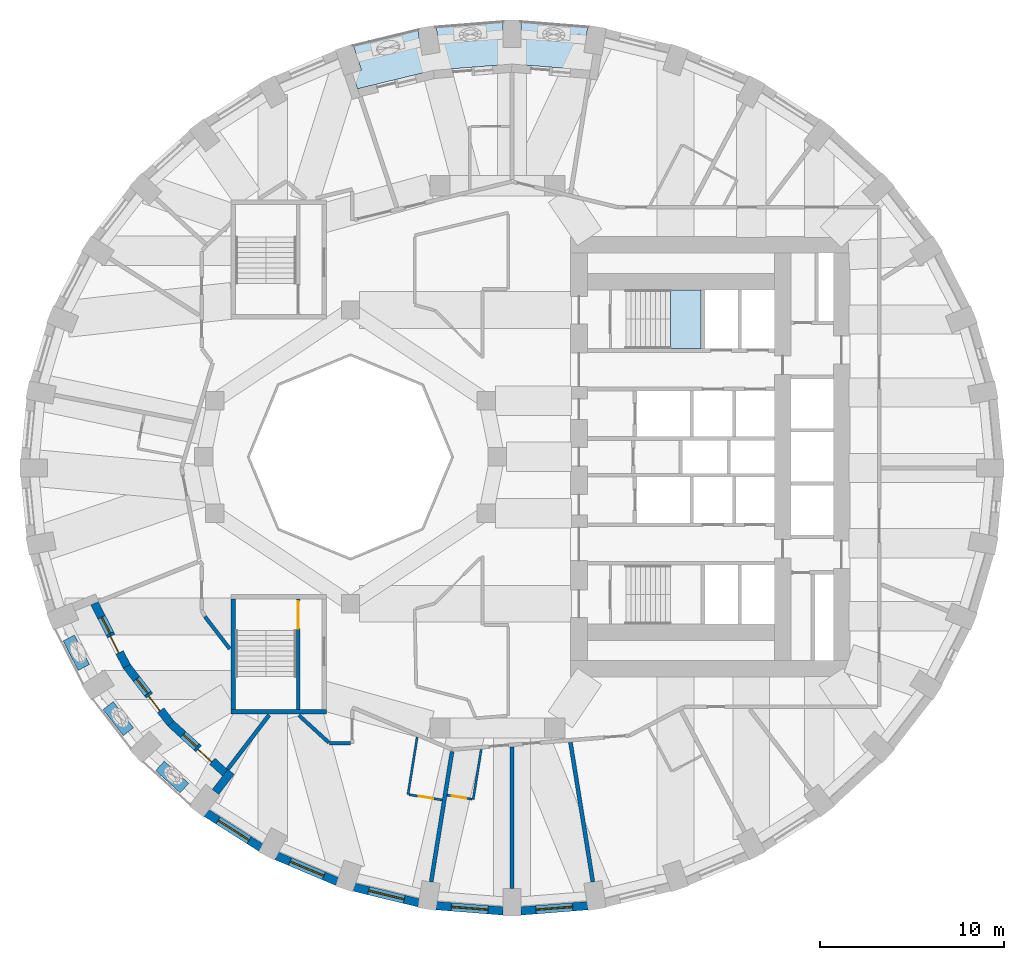
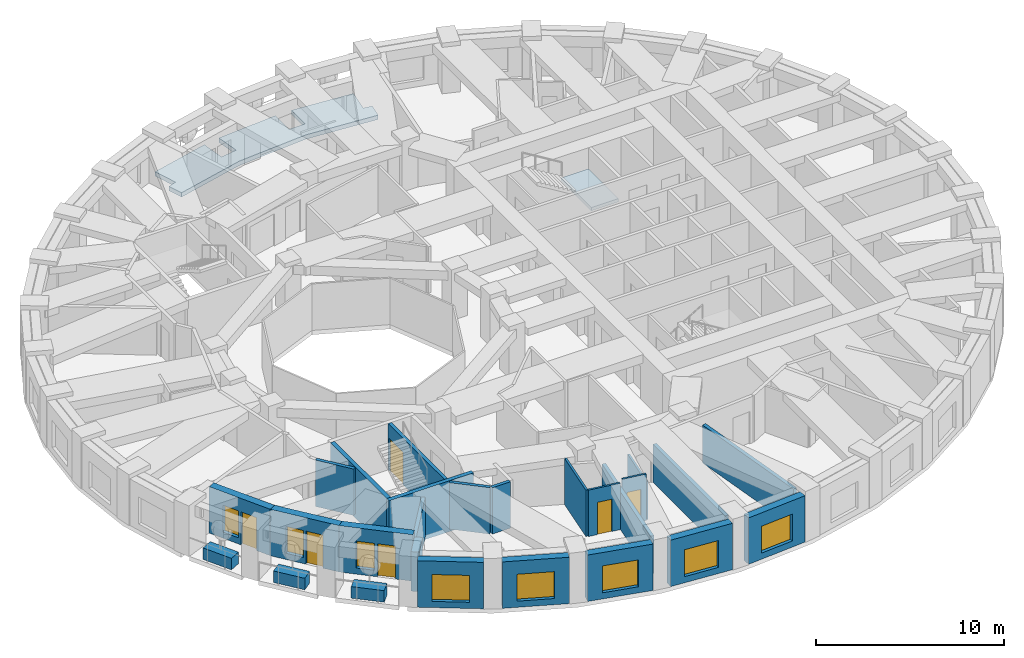
# One storey, part 3 of 12: 26 walls, 8 windows, 6 doors, 2 slabs, 14 openings, 1 element without a shape of its own.
"""IFC4 building model written with IfcOpenShell, lengths in metres."""

import ifcopenshell
import ifcopenshell.guid

model = None  # the IFC model being written
_history = None  # IfcOwnerHistory: only IFC2X3 demands one
_inside = {}  # id of a spatial element -> (the spatial element, [elements in it])
_under = {}  # id of a project, library or spatial element -> (it, [spatial elements below it])
_declared = {}  # id of a project -> (the project, [libraries it declares])
_typed = {}  # id of a type object -> (the type object, [elements of that type])
_made_of = {}  # id of a material, layer set ... -> (it, [elements and type objects made of it])


def new_model(schema):
    """Start an empty IFC model of exactly this schema.

    Asked for "IFC4X3", IfcOpenShell would pick the latest addendum, in which some entities
    have other attributes; the version numbers below select the first issue.
    IFC2X3 requires an IfcOwnerHistory on every rooted entity: one is made here for all.
    """
    global model, _history
    if schema == "IFC4X3":
        model = ifcopenshell.file(schema_version=(4, 3, 0, 0))
    else:
        model = ifcopenshell.file(schema=schema)
    _inside.clear()
    _under.clear()
    _declared.clear()
    _typed.clear()
    _made_of.clear()
    _history = None
    if model.schema == "IFC2X3":
        org = make("IfcOrganization", Name="unknown")
        user = make(
            "IfcPersonAndOrganization",
            ThePerson=make("IfcPerson", FamilyName="unknown"),
            TheOrganization=org,
        )
        app = make(
            "IfcApplication",
            ApplicationDeveloper=org,
            Version="unknown",
            ApplicationFullName="unknown",
            ApplicationIdentifier="unknown",
        )
        _history = make(
            "IfcOwnerHistory",
            OwningUser=user,
            OwningApplication=app,
            ChangeAction="ADDED",
            CreationDate=0,
        )
    return model


def make(cls, **values):
    """One entity of the class cls with the attributes given. An attribute that is None is left unset."""
    return model.create_entity(
        cls, **{name: value for name, value in values.items() if value is not None}
    )


def rooted(cls, **values):
    """An entity with a GlobalId (a new one), such as an element, a storey or a relation."""
    return make(cls, GlobalId=ifcopenshell.guid.new(), OwnerHistory=_history, **values)


def si_unit(unit_type, name, prefix=None):
    """IfcSIUnit, for example si_unit("LENGTHUNIT", "METRE", prefix="MILLI")."""
    return make("IfcSIUnit", UnitType=unit_type, Prefix=prefix, Name=name)


def assignment(units):
    """IfcUnitAssignment: the units of a project."""
    return None if units is None else make("IfcUnitAssignment", Units=units)


def point(xyz):
    """IfcCartesianPoint."""
    return None if xyz is None else make("IfcCartesianPoint", Coordinates=xyz)


def direction(xyz):
    """IfcDirection."""
    return None if xyz is None else make("IfcDirection", DirectionRatios=xyz)


def frame(location, z_axis=None, x_axis=None):
    """IfcAxis2Placement3D, a coordinate frame: its origin and axes. An axis left out is left unset."""
    return make(
        "IfcAxis2Placement3D",
        Location=point(location),
        Axis=direction(z_axis),
        RefDirection=direction(x_axis),
    )


def frame_2d(location, x_axis=None):
    """IfcAxis2Placement2D, a coordinate frame in the plane: its origin and x axis."""
    return make(
        "IfcAxis2Placement2D", Location=point(location), RefDirection=direction(x_axis)
    )


def origin():
    """The frame at (0, 0, 0) with its axes left unset."""
    return frame((0.0, 0.0, 0.0))


def place(relative_to, where):
    """IfcLocalPlacement: puts the frame where relative to a parent placement (None: the world)."""
    return make(
        "IfcLocalPlacement", PlacementRelTo=relative_to, RelativePlacement=where
    )


def context(
    kind, dimensions, precision=None, world=None, true_north=None, identifier=None
):
    """IfcGeometricRepresentationContext, for example the 3D "Model" context."""
    return make(
        "IfcGeometricRepresentationContext",
        ContextIdentifier=identifier,
        ContextType=kind,
        CoordinateSpaceDimension=dimensions,
        Precision=precision,
        WorldCoordinateSystem=world,
        TrueNorth=true_north,
    )


def subcontext(parent, identifier, kind, view, scale=None):
    """IfcGeometricRepresentationSubContext, for example "Body" below "Model"."""
    return make(
        "IfcGeometricRepresentationSubContext",
        ContextIdentifier=identifier,
        ContextType=kind,
        ParentContext=parent,
        TargetScale=scale,
        TargetView=view,
    )


def project(units=None, contexts=None):
    """IfcProject with its units and contexts."""
    return rooted(
        "IfcProject",
        Name="project",
        RepresentationContexts=contexts,
        UnitsInContext=assignment(units),
    )


def spatial(cls, under=None, at=None, **own):
    """A site, building, storey or space (cls), placed at a placement, below another one or the project."""
    s = rooted(cls, ObjectPlacement=at, **own)
    if under is not None:
        _under.setdefault(under.id(), (under, []))[1].append(s)
    return s


def polyline(points):
    """IfcPolyline through the points."""
    return make("IfcPolyline", Points=[point(p) for p in points])


def profile(cls, at=None, kind="AREA", **sizes):
    """A parametric profile (cls). Its sizes go by their IFC names, for example OverallWidth=200.0."""
    return make(cls, ProfileType=kind, Position=at, **sizes)


def rectangle(**sizes):
    """IfcRectangleProfileDef."""
    return profile("IfcRectangleProfileDef", **sizes)


def outline(outer, holes=None, kind="AREA"):
    """IfcArbitraryClosedProfileDef: a profile drawn as a closed curve; with holes, ...WithVoids."""
    if holes is None:
        return make("IfcArbitraryClosedProfileDef", ProfileType=kind, OuterCurve=outer)
    return make(
        "IfcArbitraryProfileDefWithVoids",
        ProfileType=kind,
        OuterCurve=outer,
        InnerCurves=holes,
    )


def extrude(swept, where, along, depth):
    """IfcExtrudedAreaSolid: the profile swept, set in the frame where, extruded along a direction by depth."""
    return make(
        "IfcExtrudedAreaSolid",
        SweptArea=swept,
        Position=where,
        ExtrudedDirection=direction(along),
        Depth=depth,
    )


def shape(context_of_items, identifier, shape_type, items):
    """IfcShapeRepresentation: the items that make up one representation, for example the "Body"."""
    return make(
        "IfcShapeRepresentation",
        ContextOfItems=context_of_items,
        RepresentationIdentifier=identifier,
        RepresentationType=shape_type,
        Items=items,
    )


def material(Name=None, Category=None):
    """IfcMaterial."""
    return make("IfcMaterial", Name=Name, Category=Category)


def layer(
    of_material, thickness, ventilated=None, Name=None, Category=None, Priority=None
):
    """IfcMaterialLayer: one layer of a wall or slab, of a material (None: an air gap)."""
    return make(
        "IfcMaterialLayer",
        Material=of_material,
        LayerThickness=thickness,
        IsVentilated=ventilated,
        Name=Name,
        Category=Category,
        Priority=Priority,
    )


def layer_set(layers, Name=None):
    """IfcMaterialLayerSet."""
    return make("IfcMaterialLayerSet", MaterialLayers=layers, LayerSetName=Name)


def constituent(of_material, Name=None, Category=None, fraction=None):
    """IfcMaterialConstituent: one of the materials an element consists of."""
    return make(
        "IfcMaterialConstituent",
        Name=Name,
        Material=of_material,
        Fraction=fraction,
        Category=Category,
    )


def constituent_set(constituents=None, Name=None):
    """IfcMaterialConstituentSet."""
    return make(
        "IfcMaterialConstituentSet", Name=Name, MaterialConstituents=constituents
    )


def made_of(thing, what):
    """Note that an element or type object is made of a material, layer set ...; save() writes the relation."""
    if what is not None:
        _made_of.setdefault(what.id(), (what, []))[1].append(thing)
    return thing


def type_object(cls, material=None, **own):
    """A type object (cls), such as IfcWallType, which elements share."""
    return made_of(rooted(cls, **own), material)


def element(
    cls,
    number,
    at=None,
    inside=None,
    cuts=None,
    type_object=None,
    material=None,
    context=None,
    identifier="Body",
    shape_type=None,
    held_by="IfcProductDefinitionShape",
    body=None,
    shapes=None,
    **own,
):
    """One element of the class cls, such as IfcWall. Its Tag is "e" and its number.

    at: its placement. inside: the storey or other place that contains it. cuts: it is an
    opening in that element (IfcRelVoidsElement). A single representation is given by context,
    identifier, shape_type and body (its items); several are given by shapes. held_by: the class
    of the entity that holds the representations. save() writes the other relations.
    """
    e = rooted(cls, Tag="e%d" % number, ObjectPlacement=at, **own)
    if body is not None:
        shapes = [shape(context, identifier, shape_type, body)]
    if shapes is not None:
        e.Representation = make(held_by, Representations=shapes)
    if inside is not None:
        _inside.setdefault(inside.id(), (inside, []))[1].append(e)
    if cuts is not None:
        rooted(
            "IfcRelVoidsElement", RelatingBuildingElement=cuts, RelatedOpeningElement=e
        )
    if type_object is not None:
        _typed.setdefault(type_object.id(), (type_object, []))[1].append(e)
    return made_of(e, material)


def fill(opening, filler):
    """IfcRelFillsElement: the door or window that sits in an opening."""
    return rooted(
        "IfcRelFillsElement",
        RelatingOpeningElement=opening,
        RelatedBuildingElement=filler,
    )


def aggregate(whole, parts):
    """IfcRelAggregates: a whole, such as a stair, and the parts it consists of."""
    return rooted("IfcRelAggregates", RelatingObject=whole, RelatedObjects=parts)


def save(model, path):
    """Write the relations noted so far, then the file.

    IfcRelAggregates (storeys below a building ...), IfcRelContainedInSpatialStructure (elements
    in a storey), IfcRelDefinesByType, IfcRelAssociatesMaterial and IfcRelDeclares: one each for
    every whole, place, type object, material and project.
    """
    for whole, parts in _under.values():
        aggregate(whole, parts)
    for where, things in _inside.values():
        rooted(
            "IfcRelContainedInSpatialStructure",
            RelatedElements=things,
            RelatingStructure=where,
        )
    for kind, things in _typed.values():
        rooted("IfcRelDefinesByType", RelatedObjects=things, RelatingType=kind)
    for what, things in _made_of.values():
        rooted("IfcRelAssociatesMaterial", RelatedObjects=things, RelatingMaterial=what)
    for by, libraries in _declared.values():
        rooted("IfcRelDeclares", RelatingContext=by, RelatedDefinitions=libraries)
    model.write(path)


model = new_model("IFC4")

# Units and contexts
model_context = context("Model", 3, precision=1e-05, world=origin(), true_north=direction((0.0, 1.0)))
body_context = subcontext(model_context, "Body", "Model", "MODEL_VIEW")
ifc_project = project(units=[si_unit("LENGTHUNIT", "METRE"), si_unit("AREAUNIT", "SQUARE_METRE"), si_unit("VOLUMEUNIT", "CUBIC_METRE"), si_unit("PLANEANGLEUNIT", "RADIAN"), si_unit("MASSUNIT", "GRAM", prefix="KILO")], contexts=[model_context])

# Site, building, storey
site_placement = place(None, origin())
site = spatial("IfcSite", under=ifc_project, at=site_placement, CompositionType="ELEMENT")
building_placement = place(site_placement, origin())
building = spatial("IfcBuilding", under=site, at=building_placement, Name="Taillehof Tower", CompositionType="ELEMENT")
storey_placement = place(building_placement, frame((0.0, 0.0, 92.199951171875)))
storey = spatial("IfcBuildingStorey", under=building, at=storey_placement, Name="L25", CompositionType="ELEMENT", Elevation=92.199951171875)

# Slab
ifc_material_1 = material(Name="Concrete C40/50", Category="concrete")
ifc_layer_1 = layer(ifc_material_1, 0.280029296875)
ifc_layer_set_1 = layer_set([ifc_layer_1], Name="Balcony slab 280")
slab_type_1 = type_object("IfcSlabType", Name="Balcony slab 280", PredefinedType="USERDEFINED", material=ifc_layer_set_1)
slab_1_placement = place(storey_placement, frame((0.0, 0.0, -0.280029296875)))
element("IfcSlab", 1, at=slab_1_placement, inside=storey, type_object=slab_type_1, Name="Balcony L25 pocket 2", ObjectType="BALCONY", PredefinedType="USERDEFINED", context=body_context, shape_type="SweptSolid", body=[
    extrude(outline(polyline([(-7.611328125, 20.05029296875), (-7.894287109375, 20.905029296875), (-7.399169921875, 21.069091796875), (-7.857666015625, 22.45263671875), (-4.329833984375, 23.313232421875), (-4.098388671875, 21.870849609375), (-3.111083984375, 22.029541015625), (-3.34228515625, 23.469970703125), (0.300048828125, 23.76025390625), (0.300048828125, 22.300048828125), (1.300048828125, 22.300048828125), (1.300048828125, 23.76025390625), (4.942138671875, 23.469970703125), (4.7109375, 22.029541015625), (5.216064453125, 21.9482421875), (5.0732421875, 21.0595703125), (0.800048828125, 21.39990234375), (-3.473388671875, 21.0595703125), (-7.611328125, 20.05029296875)])), origin(), (0.0, 0.0, 1.0), 0.280029296875),
])

# Stair, slab
ifc_material_2 = material(Name="Concrete C40/50", Category="concrete")
stair_type = type_object("IfcStairType", Name="Exit stair half-turn", PredefinedType="HALF_TURN_STAIR", material=ifc_material_2)
stair_placement = place(storey_placement, origin())
stair = element("IfcStair", 2, at=stair_placement, inside=storey, type_object=stair_type, Name="Exit stair S1", PredefinedType="HALF_TURN_STAIR")
ifc_material_3 = material(Name="Concrete C40/50", Category="concrete")
ifc_layer_2 = layer(ifc_material_3, 0.2099609375)
ifc_layer_set_2 = layer_set([ifc_layer_2], Name="Stair landing C40/50 210")
slab_type_2 = type_object("IfcSlabType", Name="Stair landing C40/50 210", PredefinedType="LANDING", material=ifc_layer_set_2)
slab_2_placement = place(storey_placement, frame((0.0, 0.0, 1.43994140625)))
slab_2 = element("IfcSlab", 3, at=slab_2_placement, type_object=slab_type_2, Name="S1 landing 1", PredefinedType="LANDING", context=body_context, shape_type="SweptSolid", body=[
    extrude(outline(polyline([(9.429931640625, 5.89990234375), (11.10009765625, 5.89990234375), (11.10009765625, 9.10009765625), (9.429931640625, 9.10009765625), (9.429931640625, 5.89990234375)])), origin(), (0.0, 0.0, 1.0), 0.210205078125),
])
aggregate(stair, [slab_2])

# Wall, opening, window
ifc_material_4 = material(Name="Brick masonry", Category="masonry")
ifc_layer_3 = layer(ifc_material_4, 0.449951171875)
ifc_layer_set_3 = layer_set([ifc_layer_3], Name="Brick infill wall 450")
wall_type_1 = type_object("IfcWallType", Name="Brick infill wall 450", PredefinedType="SOLIDWALL", material=ifc_layer_set_3)
wall_1_placement = place(storey_placement, frame((-15.856201171875, -19.39208984375, 0.0), z_axis=(0.0, 0.0, 1.0), x_axis=(0.843891947083, -0.53651317006, 0.0)))
wall_1 = element("IfcWall", 4, at=wall_1_placement, inside=storey, type_object=wall_type_1, Name="Brick wall L25 bay 24", PredefinedType="SOLIDWALL", context=body_context, shape_type="SweptSolid", body=[
    extrude(rectangle(XDim=3.531982421875, YDim=0.449951171875, at=frame_2d((1.76611328125, 0.0))), origin(), (0.0, 0.0, 1.0), 3.02001953125),
])
opening_1_placement = place(wall_1_placement, frame((0.76611328125, 0.0, 0.39990234375)))
opening_1 = element("IfcOpeningElement", 5, at=opening_1_placement, cuts=wall_1, Name="Opening W2", PredefinedType="OPENING", context=body_context, shape_type="SweptSolid", body=[
    extrude(rectangle(XDim=2.0, YDim=1.75, at=frame_2d((1.0, 0.875))), frame((0.0, 0.23486328125, 0.0), z_axis=(0.0, -1.0, 0.0), x_axis=(1.0, 0.0, 0.0)), (0.0, 0.0, 1.0), 0.469970703125),
])
ifc_material_5 = material(Name="Aluminium window frame with clear double glazing", Category="aluminium")
window_type_1 = type_object("IfcWindowType", Name="Deep-set window 2000x1750", PartitioningType="SINGLE_PANEL", PredefinedType="WINDOW", material=ifc_material_5)
window_1_placement = place(opening_1_placement, origin())
window_1 = element("IfcWindow", 6, at=window_1_placement, inside=storey, type_object=window_type_1, Name="W2", OverallHeight=1.75, OverallWidth=2.0, PartitioningType="SINGLE_PANEL", PredefinedType="WINDOW", context=body_context, shape_type="SweptSolid", body=[
    extrude(rectangle(XDim=2.0, YDim=1.75, at=frame_2d((1.0, 0.875))), frame((0.0, 0.034912109375, 0.0), z_axis=(0.0, -1.0, 0.0), x_axis=(1.0, 0.0, 0.0)), (0.0, 0.0, 1.0), 0.06005859375),
])
fill(opening_1, window_1)

wall_2_placement = place(storey_placement, frame((-12.025390625, -21.7333984375, 0.0), z_axis=(0.0, 0.0, 1.0), x_axis=(0.920879975612, -0.389846213932, 0.0)))
wall_2 = element("IfcWall", 7, at=wall_2_placement, inside=storey, type_object=wall_type_1, Name="Brick wall L25 bay 25", PredefinedType="SOLIDWALL", context=body_context, shape_type="SweptSolid", body=[
    extrude(rectangle(XDim=3.591552734375, YDim=0.449951171875, at=frame_2d((1.7958984375, 0.0))), origin(), (0.0, 0.0, 1.0), 3.02001953125),
])
opening_2_placement = place(wall_2_placement, frame((0.795654296875, 0.0, 0.39990234375)))
opening_2 = element("IfcOpeningElement", 8, at=opening_2_placement, cuts=wall_2, Name="Opening W2", PredefinedType="OPENING", context=body_context, shape_type="SweptSolid", body=[
    extrude(rectangle(XDim=2.0, YDim=1.75, at=frame_2d((1.0, 0.875))), frame((0.0, 0.23486328125, 0.0), z_axis=(0.0, -1.0, 0.0), x_axis=(1.0, 0.0, 0.0)), (0.0, 0.0, 1.0), 0.469970703125),
])
window_2_placement = place(opening_2_placement, origin())
window_2 = element("IfcWindow", 9, at=window_2_placement, inside=storey, type_object=window_type_1, Name="W2", OverallHeight=1.75, OverallWidth=2.0, PartitioningType="SINGLE_PANEL", PredefinedType="WINDOW", context=body_context, shape_type="SweptSolid", body=[
    extrude(rectangle(XDim=2.0, YDim=1.75, at=frame_2d((1.0, 0.875))), frame((0.0, 0.034912109375, 0.0), z_axis=(0.0, -1.0, 0.0), x_axis=(1.0, 0.0, 0.0)), (0.0, 0.0, 1.0), 0.06005859375),
])
fill(opening_2, window_2)

wall_3_placement = place(storey_placement, frame((-7.806640625, -23.435302734375, 0.0), z_axis=(0.0, 0.0, 1.0), x_axis=(0.971667603162, -0.236351579148, 0.0)))
wall_3 = element("IfcWall", 10, at=wall_3_placement, inside=storey, type_object=wall_type_1, Name="Brick wall L25 bay 26", PredefinedType="SOLIDWALL", context=body_context, shape_type="SweptSolid", body=[
    extrude(rectangle(XDim=3.635009765625, YDim=0.449951171875, at=frame_2d((1.8173828125, 0.0))), origin(), (0.0, 0.0, 1.0), 3.02001953125),
])
opening_3_placement = place(wall_3_placement, frame((0.8173828125, 0.0, 0.39990234375)))
opening_3 = element("IfcOpeningElement", 11, at=opening_3_placement, cuts=wall_3, Name="Opening W2", PredefinedType="OPENING", context=body_context, shape_type="SweptSolid", body=[
    extrude(rectangle(XDim=2.0, YDim=1.75, at=frame_2d((1.0, 0.875))), frame((0.0, 0.23486328125, 0.0), z_axis=(0.0, -1.0, 0.0), x_axis=(1.0, 0.0, 0.0)), (0.0, 0.0, 1.0), 0.469970703125),
])
window_3_placement = place(opening_3_placement, origin())
window_3 = element("IfcWindow", 12, at=window_3_placement, inside=storey, type_object=window_type_1, Name="W2", OverallHeight=1.75, OverallWidth=2.0, PartitioningType="SINGLE_PANEL", PredefinedType="WINDOW", context=body_context, shape_type="SweptSolid", body=[
    extrude(rectangle(XDim=2.0, YDim=1.75, at=frame_2d((1.0, 0.875))), frame((0.0, 0.034912109375, 0.0), z_axis=(0.0, -1.0, 0.0), x_axis=(1.0, 0.0, 0.0)), (0.0, 0.0, 1.0), 0.06005859375),
])
fill(opening_3, window_3)

wall_4_placement = place(storey_placement, frame((-3.32666015625, -24.446533203125, 0.0), z_axis=(0.0, 0.0, 1.0), x_axis=(0.996862216754, -0.079156306178, 0.0)))
wall_4 = element("IfcWall", 13, at=wall_4_placement, inside=storey, type_object=wall_type_1, Name="Brick wall L25 bay 27", PredefinedType="SOLIDWALL", context=body_context, shape_type="SweptSolid", body=[
    extrude(rectangle(XDim=3.657958984375, YDim=0.449951171875, at=frame_2d((1.8291015625, 0.0))), origin(), (0.0, 0.0, 1.0), 3.02001953125),
])
opening_4_placement = place(wall_4_placement, frame((0.8291015625, 0.0, 0.39990234375)))
opening_4 = element("IfcOpeningElement", 14, at=opening_4_placement, cuts=wall_4, Name="Opening W2", PredefinedType="OPENING", context=body_context, shape_type="SweptSolid", body=[
    extrude(rectangle(XDim=2.0, YDim=1.75, at=frame_2d((1.0, 0.875))), frame((0.0, 0.23486328125, 0.0), z_axis=(0.0, -1.0, 0.0), x_axis=(1.0, 0.0, 0.0)), (0.0, 0.0, 1.0), 0.469970703125),
])
window_4_placement = place(opening_4_placement, origin())
window_4 = element("IfcWindow", 15, at=window_4_placement, inside=storey, type_object=window_type_1, Name="W2", OverallHeight=1.75, OverallWidth=2.0, PartitioningType="SINGLE_PANEL", PredefinedType="WINDOW", context=body_context, shape_type="SweptSolid", body=[
    extrude(rectangle(XDim=2.0, YDim=1.75, at=frame_2d((1.0, 0.875))), frame((0.0, 0.034912109375, 0.0), z_axis=(0.0, -1.0, 0.0), x_axis=(1.0, 0.0, 0.0)), (0.0, 0.0, 1.0), 0.06005859375),
])
fill(opening_4, window_4)

wall_5_placement = place(storey_placement, frame((1.280029296875, -24.736083984375, 0.0), z_axis=(0.0, 0.0, 1.0), x_axis=(0.996862216754, 0.079156306178, 0.0)))
wall_5 = element("IfcWall", 16, at=wall_5_placement, inside=storey, type_object=wall_type_1, Name="Brick wall L25 bay 28", PredefinedType="SOLIDWALL", context=body_context, shape_type="SweptSolid", body=[
    extrude(rectangle(XDim=3.657958984375, YDim=0.449951171875, at=frame_2d((1.8291015625, 0.0))), origin(), (0.0, 0.0, 1.0), 3.02001953125),
])
opening_5_placement = place(wall_5_placement, frame((0.8291015625, 0.0, 0.39990234375)))
opening_5 = element("IfcOpeningElement", 17, at=opening_5_placement, cuts=wall_5, Name="Opening W2", PredefinedType="OPENING", context=body_context, shape_type="SweptSolid", body=[
    extrude(rectangle(XDim=2.0, YDim=1.75, at=frame_2d((1.0, 0.875))), frame((0.0, 0.23486328125, 0.0), z_axis=(0.0, -1.0, 0.0), x_axis=(1.0, 0.0, 0.0)), (0.0, 0.0, 1.0), 0.469970703125),
])
window_5_placement = place(opening_5_placement, origin())
window_5 = element("IfcWindow", 18, at=window_5_placement, inside=storey, type_object=window_type_1, Name="W2", OverallHeight=1.75, OverallWidth=2.0, PartitioningType="SINGLE_PANEL", PredefinedType="WINDOW", context=body_context, shape_type="SweptSolid", body=[
    extrude(rectangle(XDim=2.0, YDim=1.75, at=frame_2d((1.0, 0.875))), frame((0.0, 0.034912109375, 0.0), z_axis=(0.0, -1.0, 0.0), x_axis=(1.0, 0.0, 0.0)), (0.0, 0.0, 1.0), 0.06005859375),
])
fill(opening_5, window_5)

# Wall
wall_6_placement = place(storey_placement, frame((-15.349853515625, -18.252685546875, 0.0), z_axis=(0.0, 0.0, 1.0), x_axis=(0.607026495834, 0.794681592435, 0.0)))
element("IfcWall", 19, at=wall_6_placement, inside=storey, type_object=wall_type_1, Name="Brick reveal L25 pocket 6", PredefinedType="SOLIDWALL", context=body_context, shape_type="SweptSolid", body=[
    extrude(rectangle(XDim=1.390869140625, YDim=0.449951171875, at=frame_2d((0.6953125, 0.0))), origin(), (0.0, 0.0, 1.0), 2.570068359375),
])

# Wall, openings, door, window
wall_7_placement = place(storey_placement, frame((-21.9453125, -7.970458984375, 0.0), z_axis=(0.0, 0.0, 1.0), x_axis=(0.455905146579, -0.89002836883, 0.0)))
wall_7 = element("IfcWall", 20, at=wall_7_placement, inside=storey, type_object=wall_type_1, Name="Brick wall L25 pocket bay 21", PredefinedType="SOLIDWALL", context=body_context, shape_type="SweptSolid", body=[
    extrude(rectangle(XDim=3.866943359375, YDim=0.449951171875, at=frame_2d((1.93359375, 0.0))), origin(), (0.0, 0.0, 1.0), 3.02001953125),
])
opening_6_placement = place(wall_7_placement, frame((0.8583984375, 0.0, 0.39990234375)))
opening_6 = element("IfcOpeningElement", 21, at=opening_6_placement, cuts=wall_7, Name="Opening W5", PredefinedType="OPENING", context=body_context, shape_type="SweptSolid", body=[
    extrude(rectangle(XDim=1.0, YDim=1.75, at=frame_2d((0.5, 0.875))), frame((0.0, 0.23486328125, 0.0), z_axis=(0.0, -1.0, 0.0), x_axis=(1.0, 0.0, 0.0)), (0.0, 0.0, 1.0), 0.469970703125),
])
opening_7_placement = place(wall_7_placement, frame((2.008544921875, 0.0, 0.0)))
opening_7 = element("IfcOpeningElement", 22, at=opening_7_placement, cuts=wall_7, Name="Opening D2591", PredefinedType="OPENING", context=body_context, shape_type="SweptSolid", body=[
    extrude(rectangle(XDim=1.0, YDim=2.14990234375, at=frame_2d((0.5, 1.074951171875))), frame((0.0, 0.23486328125, 0.0), z_axis=(0.0, -1.0, 0.0), x_axis=(1.0, 0.0, 0.0)), (0.0, 0.0, 1.0), 0.469970703125),
])
ifc_material_6 = material(Name="Aluminium door frame with clear double glazing", Category="aluminium")
door_type_1 = type_object("IfcDoorType", Name="Balcony door 1000x2150", OperationType="SINGLE_SWING_RIGHT", PredefinedType="DOOR", material=ifc_material_6)
door_1_placement = place(opening_7_placement, frame((1.0, 0.0, 0.0), z_axis=(0.0, 0.0, 1.0), x_axis=(-1.0, 0.0, 0.0)))
door_1 = element("IfcDoor", 23, at=door_1_placement, inside=storey, type_object=door_type_1, Name="Balcony door L25 bay 21", OperationType="SINGLE_SWING_RIGHT", OverallHeight=2.14990234375, OverallWidth=1.0, PredefinedType="DOOR", context=body_context, shape_type="SweptSolid", body=[
    extrude(rectangle(XDim=1.0, YDim=2.14990234375, at=frame_2d((0.5, 1.074951171875))), frame((0.0, 0.0751953125, 0.0), z_axis=(0.0, -1.0, 0.0), x_axis=(1.0, 0.0, 0.0)), (0.0, 0.0, 1.0), 0.050048828125),
])
fill(opening_7, door_1)
ifc_material_7 = material(Name="Aluminium window frame with clear double glazing", Category="aluminium")
window_type_2 = type_object("IfcWindowType", Name="Fixed window 1000x1750", PartitioningType="SINGLE_PANEL", PredefinedType="WINDOW", material=ifc_material_7)
window_6_placement = place(opening_6_placement, origin())
window_6 = element("IfcWindow", 24, at=window_6_placement, inside=storey, type_object=window_type_2, Name="W5", OverallHeight=1.75, OverallWidth=1.0, PartitioningType="SINGLE_PANEL", PredefinedType="WINDOW", context=body_context, shape_type="SweptSolid", body=[
    extrude(rectangle(XDim=1.0, YDim=1.75, at=frame_2d((0.5, 0.875))), frame((0.0, 0.034912109375, 0.0), z_axis=(0.0, -1.0, 0.0), x_axis=(1.0, 0.0, 0.0)), (0.0, 0.0, 1.0), 0.06005859375),
])
fill(opening_6, window_6)

wall_8_placement = place(storey_placement, frame((-20.204345703125, -11.37744140625, 0.0), z_axis=(0.0, 0.0, 1.0), x_axis=(0.609698858135, -0.792633144897, 0.0)))
wall_8 = element("IfcWall", 25, at=wall_8_placement, inside=storey, type_object=wall_type_1, Name="Brick wall L25 pocket bay 22", PredefinedType="SOLIDWALL", context=body_context, shape_type="SweptSolid", body=[
    extrude(rectangle(XDim=3.965087890625, YDim=0.449951171875, at=frame_2d((1.982421875, 0.0))), origin(), (0.0, 0.0, 1.0), 3.02001953125),
])
opening_8_placement = place(wall_8_placement, frame((0.907470703125, 0.0, 0.39990234375)))
opening_8 = element("IfcOpeningElement", 26, at=opening_8_placement, cuts=wall_8, Name="Opening W5", PredefinedType="OPENING", context=body_context, shape_type="SweptSolid", body=[
    extrude(rectangle(XDim=1.0, YDim=1.75, at=frame_2d((0.5, 0.875))), frame((0.0, 0.23486328125, 0.0), z_axis=(0.0, -1.0, 0.0), x_axis=(1.0, 0.0, 0.0)), (0.0, 0.0, 1.0), 0.469970703125),
])
opening_9_placement = place(wall_8_placement, frame((2.0576171875, 0.0, 0.0)))
opening_9 = element("IfcOpeningElement", 27, at=opening_9_placement, cuts=wall_8, Name="Opening D2592", PredefinedType="OPENING", context=body_context, shape_type="SweptSolid", body=[
    extrude(rectangle(XDim=1.0, YDim=2.14990234375, at=frame_2d((0.5, 1.074951171875))), frame((0.0, 0.23486328125, 0.0), z_axis=(0.0, -1.0, 0.0), x_axis=(1.0, 0.0, 0.0)), (0.0, 0.0, 1.0), 0.469970703125),
])
door_2_placement = place(opening_9_placement, frame((1.0, 0.0, 0.0), z_axis=(0.0, 0.0, 1.0), x_axis=(-1.0, 0.0, 0.0)))
door_2 = element("IfcDoor", 28, at=door_2_placement, inside=storey, type_object=door_type_1, Name="Balcony door L25 bay 22", OperationType="SINGLE_SWING_LEFT", OverallHeight=2.14990234375, OverallWidth=1.0, PredefinedType="DOOR", context=body_context, shape_type="SweptSolid", body=[
    extrude(rectangle(XDim=1.0, YDim=2.14990234375, at=frame_2d((0.5, 1.074951171875))), frame((0.0, 0.0751953125, 0.0), z_axis=(0.0, -1.0, 0.0), x_axis=(1.0, 0.0, 0.0)), (0.0, 0.0, 1.0), 0.050048828125),
])
fill(opening_9, door_2)
window_7_placement = place(opening_8_placement, origin())
window_7 = element("IfcWindow", 29, at=window_7_placement, inside=storey, type_object=window_type_2, Name="W5", OverallHeight=1.75, OverallWidth=1.0, PartitioningType="SINGLE_PANEL", PredefinedType="WINDOW", context=body_context, shape_type="SweptSolid", body=[
    extrude(rectangle(XDim=1.0, YDim=1.75, at=frame_2d((0.5, 0.875))), frame((0.0, 0.034912109375, 0.0), z_axis=(0.0, -1.0, 0.0), x_axis=(1.0, 0.0, 0.0)), (0.0, 0.0, 1.0), 0.06005859375),
])
fill(opening_8, window_7)

wall_9_placement = place(storey_placement, frame((-17.813720703125, -14.4912109375, 0.0), z_axis=(0.0, 0.0, 1.0), x_axis=(0.73951517403, -0.673139886933, 0.0)))
wall_9 = element("IfcWall", 30, at=wall_9_placement, inside=storey, type_object=wall_type_1, Name="Brick wall L25 pocket bay 23", PredefinedType="SOLIDWALL", context=body_context, shape_type="SweptSolid", body=[
    extrude(rectangle(XDim=4.03125, YDim=0.449951171875, at=frame_2d((2.015625, 0.0))), origin(), (0.0, 0.0, 1.0), 3.02001953125),
])
opening_10_placement = place(wall_9_placement, frame((0.940673828125, 0.0, 0.39990234375)))
opening_10 = element("IfcOpeningElement", 31, at=opening_10_placement, cuts=wall_9, Name="Opening W5", PredefinedType="OPENING", context=body_context, shape_type="SweptSolid", body=[
    extrude(rectangle(XDim=1.0, YDim=1.75, at=frame_2d((0.5, 0.875))), frame((0.0, 0.23486328125, 0.0), z_axis=(0.0, -1.0, 0.0), x_axis=(1.0, 0.0, 0.0)), (0.0, 0.0, 1.0), 0.469970703125),
])
opening_11_placement = place(wall_9_placement, frame((2.090576171875, 0.0, 0.0)))
opening_11 = element("IfcOpeningElement", 32, at=opening_11_placement, cuts=wall_9, Name="Opening D2593", PredefinedType="OPENING", context=body_context, shape_type="SweptSolid", body=[
    extrude(rectangle(XDim=1.0, YDim=2.14990234375, at=frame_2d((0.5, 1.074951171875))), frame((0.0, 0.23486328125, 0.0), z_axis=(0.0, -1.0, 0.0), x_axis=(1.0, 0.0, 0.0)), (0.0, 0.0, 1.0), 0.469970703125),
])
door_3_placement = place(opening_11_placement, frame((1.0, 0.0, 0.0), z_axis=(0.0, 0.0, 1.0), x_axis=(-1.0, 0.0, 0.0)))
door_3 = element("IfcDoor", 33, at=door_3_placement, inside=storey, type_object=door_type_1, Name="Balcony door L25 bay 23", OperationType="SINGLE_SWING_LEFT", OverallHeight=2.14990234375, OverallWidth=1.0, PredefinedType="DOOR", context=body_context, shape_type="SweptSolid", body=[
    extrude(rectangle(XDim=1.0, YDim=2.14990234375, at=frame_2d((0.5, 1.074951171875))), frame((0.0, 0.0751953125, 0.0), z_axis=(0.0, -1.0, 0.0), x_axis=(1.0, 0.0, 0.0)), (0.0, 0.0, 1.0), 0.050048828125),
])
fill(opening_11, door_3)
window_8_placement = place(opening_10_placement, origin())
window_8 = element("IfcWindow", 34, at=window_8_placement, inside=storey, type_object=window_type_2, Name="W5", OverallHeight=1.75, OverallWidth=1.0, PartitioningType="SINGLE_PANEL", PredefinedType="WINDOW", context=body_context, shape_type="SweptSolid", body=[
    extrude(rectangle(XDim=1.0, YDim=1.75, at=frame_2d((0.5, 0.875))), frame((0.0, 0.034912109375, 0.0), z_axis=(0.0, -1.0, 0.0), x_axis=(1.0, 0.0, 0.0)), (0.0, 0.0, 1.0), 0.06005859375),
])
fill(opening_10, window_8)

# Walls
ifc_material_8 = material(Name="Gypsum board on steel studs, two layers each side", Category="steel")
ifc_layer_4 = layer(ifc_material_8, 0.199951171875)
ifc_layer_set_4 = layer_set([ifc_layer_4], Name="Compartment wall corridor 200")
wall_type_2 = type_object("IfcWallType", Name="Compartment wall corridor 200", PredefinedType="PARTITIONING", material=ifc_layer_set_4)
wall_10_placement = place(storey_placement, frame((-14.573486328125, -10.4560546875, 0.0), z_axis=(0.0, 0.0, 1.0), x_axis=(-0.60967360535, 0.792652568872, 0.0)))
element("IfcWall", 35, at=wall_10_placement, inside=storey, type_object=wall_type_2, Name="Compartment wall", PredefinedType="PARTITIONING", context=body_context, shape_type="SweptSolid", body=[
    extrude(rectangle(XDim=2.222900390625, YDim=0.199951171875, at=frame_2d((1.111328125, 0.0))), origin(), (0.0, 0.0, 1.0), 3.02001953125),
])
wall_11_placement = place(storey_placement, frame((-8.0, -15.60009765625, 0.0), z_axis=(0.0, 0.0, 1.0), x_axis=(-1.0, 0.0, 0.0)))
element("IfcWall", 36, at=wall_11_placement, inside=storey, type_object=wall_type_2, Name="Compartment wall", PredefinedType="PARTITIONING", context=body_context, shape_type="SweptSolid", body=[
    extrude(rectangle(XDim=1.130859375, YDim=0.199951171875, at=frame_2d((0.5654296875, 0.0))), origin(), (0.0, 0.0, 1.0), 3.02001953125),
])
wall_12_placement = place(storey_placement, frame((-9.175537109375, -15.559814453125, 0.0), z_axis=(0.0, 0.0, 1.0), x_axis=(-0.73943556447, 0.673227336044, 0.0)))
element("IfcWall", 37, at=wall_12_placement, inside=storey, type_object=wall_type_2, Name="Compartment wall", PredefinedType="PARTITIONING", context=body_context, shape_type="SweptSolid", body=[
    extrude(rectangle(XDim=2.21240234375, YDim=0.199951171875, at=frame_2d((1.106201171875, 0.0))), origin(), (0.0, 0.0, 1.0), 3.02001953125),
])
ifc_material_9 = material(Name="Gypsum board on double steel studs with mineral wool", Category="steel")
ifc_layer_5 = layer(ifc_material_9, 0.219970703125)
ifc_layer_set_5 = layer_set([ifc_layer_5], Name="Compartment wall guest room 220")
wall_type_3 = type_object("IfcWallType", Name="Compartment wall guest room 220", PredefinedType="PARTITIONING", material=ifc_layer_set_5)
wall_13_placement = place(storey_placement, frame((-14.695556640625, -17.025390625, 0.0), z_axis=(0.0, 0.0, 1.0), x_axis=(0.607059278405, 0.794656550028, 0.0)))
element("IfcWall", 38, at=wall_13_placement, inside=storey, type_object=wall_type_3, Name="Compartment wall", PredefinedType="PARTITIONING", context=body_context, shape_type="SweptSolid", body=[
    extrude(rectangle(XDim=3.733642578125, YDim=0.219970703125, at=frame_2d((1.86669921875, 0.0))), origin(), (0.0, 0.0, 1.0), 2.570068359375),
])
wall_14_placement = place(storey_placement, frame((-3.604736328125, -23.150146484375, 0.0), z_axis=(0.0, 0.0, 1.0), x_axis=(0.158533314299, 0.987353628776, 0.0)))
element("IfcWall", 39, at=wall_14_placement, inside=storey, type_object=wall_type_3, Name="Compartment wall", PredefinedType="PARTITIONING", context=body_context, shape_type="SweptSolid", body=[
    extrude(rectangle(XDim=7.19189453125, YDim=0.219970703125, at=frame_2d((3.595947265625, 0.0))), origin(), (0.0, 0.0, 1.0), 2.469970703125),
])
for number, where, z_axis, x_axis, name in (
    (40, (0.800048828125, -23.5, 0.0), (0.0, 0.0, 1.0), (0.0, 1.0, 0.0), "Compartment wall"),
    (41, (5.20458984375, -23.150146484375, 0.0), (0.0, 0.0, 1.0), (-0.15849643951, 0.987359548828, 0.0), "Compartment wall"),
):
    element("IfcWall", number, at=place(storey_placement, frame(where, z_axis=z_axis, x_axis=x_axis)), inside=storey, type_object=wall_type_3, Name=name, PredefinedType="PARTITIONING", context=body_context, shape_type="SweptSolid", body=[
        extrude(rectangle(XDim=7.697265625, YDim=0.219970703125, at=frame_2d((3.8486328125, 0.0))), origin(), (0.0, 0.0, 1.0), 2.469970703125),
    ])
ifc_material_10 = material(Name="Gypsum board on steel studs, moisture resistant", Category="steel")
ifc_layer_6 = layer(ifc_material_10, 0.1201171875)
ifc_layer_set_6 = layer_set([ifc_layer_6], Name="En-suite wall 120")
wall_type_4 = type_object("IfcWallType", Name="En-suite wall 120", PredefinedType="PARTITIONING", material=ifc_layer_set_6)
wall_15_placement = place(storey_placement, frame((-4.364501953125, -15.265625, 0.0), z_axis=(0.0, 0.0, 1.0), x_axis=(-0.158535604942, -0.987353260979, 0.0)))
element("IfcWall", 42, at=wall_15_placement, inside=storey, type_object=wall_type_4, Name="En-suite wall", PredefinedType="PARTITIONING", context=body_context, shape_type="SweptSolid", body=[
    extrude(rectangle(XDim=3.16162109375, YDim=0.1201171875, at=frame_2d((1.580810546875, 0.0))), origin(), (0.0, 0.0, 1.0), 3.02001953125),
])
wall_16_placement = place(storey_placement, frame((-0.87646484375, -15.93505859375, 0.0), z_axis=(0.0, 0.0, 1.0), x_axis=(-0.158529926442, -0.987354172738, 0.0)))
element("IfcWall", 43, at=wall_16_placement, inside=storey, type_object=wall_type_4, Name="En-suite wall", PredefinedType="PARTITIONING", context=body_context, shape_type="SweptSolid", body=[
    extrude(rectangle(XDim=2.753662109375, YDim=0.1201171875, at=frame_2d((1.376953125, 0.0))), origin(), (0.0, 0.0, 1.0), 2.469970703125),
])

# Wall, opening, door
wall_17_placement = place(storey_placement, frame((-4.806396484375, -18.396728515625, 0.0), z_axis=(0.0, 0.0, 1.0), x_axis=(0.987339700129, -0.158620038299, 0.0)))
wall_17 = element("IfcWall", 44, at=wall_17_placement, inside=storey, type_object=wall_type_4, Name="En-suite wall", PredefinedType="PARTITIONING", context=body_context, shape_type="SweptSolid", body=[
    extrude(rectangle(XDim=1.830078125, YDim=0.1201171875, at=frame_2d((0.9150390625, 0.0))), origin(), (0.0, 0.0, 1.0), 3.02001953125),
])
opening_12_placement = place(wall_17_placement, frame((0.5400390625, 0.0, 0.0)))
opening_12 = element("IfcOpeningElement", 45, at=opening_12_placement, cuts=wall_17, Name="Opening D2554", PredefinedType="OPENING", context=body_context, shape_type="SweptSolid", body=[
    extrude(rectangle(XDim=0.800048828125, YDim=2.10009765625, at=frame_2d((0.39990234375, 1.050048828125))), frame((0.0, 0.070068359375, 0.0), z_axis=(0.0, -1.0, 0.0), x_axis=(1.0, 0.0, 0.0)), (0.0, 0.0, 1.0), 0.14013671875),
])
ifc_material_11 = material(Name="Timber door leaf in steel frame", Category="steel")
door_type_2 = type_object("IfcDoorType", Name="En-suite door 800 x 2100", OperationType="SINGLE_SWING_LEFT", PredefinedType="DOOR", material=ifc_material_11)
door_4_placement = place(opening_12_placement, origin())
door_4 = element("IfcDoor", 46, at=door_4_placement, inside=storey, type_object=door_type_2, Name="D2554", OperationType="SINGLE_SWING_RIGHT", OverallHeight=2.10009765625, OverallWidth=0.800048828125, PredefinedType="DOOR", context=body_context, shape_type="SweptSolid", body=[
    extrude(rectangle(XDim=0.800048828125, YDim=2.10009765625, at=frame_2d((0.39990234375, 1.050048828125))), frame((0.0, 0.02490234375, 0.0), z_axis=(0.0, -1.0, 0.0), x_axis=(1.0, 0.0, 0.0)), (0.0, 0.0, 1.0), 0.050048828125),
])
fill(opening_12, door_4)

wall_18_placement = place(storey_placement, frame((-1.372314453125, -18.644287109375, 0.0), z_axis=(0.0, 0.0, 1.0), x_axis=(-0.987324430422, 0.158715056288, 0.0)))
wall_18 = element("IfcWall", 47, at=wall_18_placement, inside=storey, type_object=wall_type_4, Name="En-suite wall", PredefinedType="PARTITIONING", context=body_context, shape_type="SweptSolid", body=[
    extrude(rectangle(XDim=1.3798828125, YDim=0.1201171875, at=frame_2d((0.68994140625, 0.0))), origin(), (0.0, 0.0, 1.0), 3.02001953125),
])
opening_13_placement = place(wall_18_placement, frame((0.31494140625, 0.0, 0.0)))
opening_13 = element("IfcOpeningElement", 48, at=opening_13_placement, cuts=wall_18, Name="Opening D2556", PredefinedType="OPENING", context=body_context, shape_type="SweptSolid", body=[
    extrude(rectangle(XDim=0.800048828125, YDim=2.10009765625, at=frame_2d((0.39990234375, 1.050048828125))), frame((0.0, 0.070068359375, 0.0), z_axis=(0.0, -1.0, 0.0), x_axis=(1.0, 0.0, 0.0)), (0.0, 0.0, 1.0), 0.14013671875),
])
door_5_placement = place(opening_13_placement, origin())
door_5 = element("IfcDoor", 49, at=door_5_placement, inside=storey, type_object=door_type_2, Name="D2556", OperationType="SINGLE_SWING_RIGHT", OverallHeight=2.10009765625, OverallWidth=0.800048828125, PredefinedType="DOOR", context=body_context, shape_type="SweptSolid", body=[
    extrude(rectangle(XDim=0.800048828125, YDim=2.10009765625, at=frame_2d((0.39990234375, 1.050048828125))), frame((0.0, 0.02490234375, 0.0), z_axis=(0.0, -1.0, 0.0), x_axis=(1.0, 0.0, 0.0)), (0.0, 0.0, 1.0), 0.050048828125),
])
fill(opening_13, door_5)

# Walls
ifc_material_12 = material(Name="Concrete C30/37 precast", Category="concrete")
ifc_constituent_1 = constituent(ifc_material_12, Name="Structure", Category="concrete")
ifc_material_13 = material(Name="Insulated lining")
ifc_constituent_2 = constituent(ifc_material_13, Name="Lining")
ifc_constituent_set = constituent_set(constituents=[ifc_constituent_1, ifc_constituent_2], Name="Planter trough 700x750")
wall_type_5 = type_object("IfcWallType", Name="Planter trough 700x750", PredefinedType="USERDEFINED", material=ifc_constituent_set)
wall_19_placement = place(storey_placement, frame((-23.341796875, -9.863525390625, 0.0), z_axis=(0.0, 0.0, 1.0), x_axis=(0.456845298981, -0.88954616114, 0.0)))
element("IfcWall", 50, at=wall_19_placement, inside=storey, type_object=wall_type_5, Name="Planter L25 bay 21", ObjectType="PLANTER", PredefinedType="USERDEFINED", context=body_context, shape_type="SweptSolid", body=[
    extrude(rectangle(XDim=1.7998046875, YDim=0.699951171875, at=frame_2d((0.89990234375, 0.0))), origin(), (0.0, 0.0, 1.0), 0.75),
])
wall_20_placement = place(storey_placement, frame((-21.19580078125, -13.54443359375, 0.0), z_axis=(0.0, 0.0, 1.0), x_axis=(0.610686846919, -0.791872196127, 0.0)))
element("IfcWall", 51, at=wall_20_placement, inside=storey, type_object=wall_type_5, Name="Planter L25 bay 22", ObjectType="PLANTER", PredefinedType="USERDEFINED", context=body_context, shape_type="SweptSolid", body=[
    extrude(rectangle(XDim=1.80029296875, YDim=0.699951171875, at=frame_2d((0.900146484375, 0.0))), origin(), (0.0, 0.0, 1.0), 0.75),
])
wall_21_placement = place(storey_placement, frame((-18.376708984375, -16.8291015625, 0.0), z_axis=(0.0, 0.0, 1.0), x_axis=(0.740332755969, -0.6722405897, 0.0)))
element("IfcWall", 52, at=wall_21_placement, inside=storey, type_object=wall_type_5, Name="Planter L25 bay 23", ObjectType="PLANTER", PredefinedType="USERDEFINED", context=body_context, shape_type="SweptSolid", body=[
    extrude(rectangle(XDim=1.7998046875, YDim=0.699951171875, at=frame_2d((0.89990234375, 0.0))), origin(), (0.0, 0.0, 1.0), 0.75),
])

# Wall, opening, door
ifc_material_14 = material(Name="Concrete C50/60", Category="concrete")
ifc_layer_7 = layer(ifc_material_14, 0.199951171875)
ifc_layer_set_7 = layer_set([ifc_layer_7], Name="Shaft wall C50/60 200")
wall_type_6 = type_object("IfcWallType", Name="Shaft wall C50/60 200", PredefinedType="SHEAR", material=ifc_layer_set_7)
wall_22_placement = place(storey_placement, frame((-10.85009765625, -13.75, 0.0), z_axis=(0.0, 0.0, 1.0), x_axis=(0.0, 1.0, 0.0)))
wall_22 = element("IfcWall", 53, at=wall_22_placement, inside=storey, type_object=wall_type_6, Name="Shaft wall SW", PredefinedType="SHEAR", context=body_context, shape_type="SweptSolid", body=[
    extrude(rectangle(XDim=6.0, YDim=0.199951171875, at=frame_2d((3.0, 0.0))), origin(), (0.0, 0.0, 1.0), 3.02001953125),
])
opening_14_placement = place(wall_22_placement, frame((4.39990234375, 0.0, 0.0)))
opening_14 = element("IfcOpeningElement", 54, at=opening_14_placement, cuts=wall_22, Name="Opening D2513", PredefinedType="OPENING", context=body_context, shape_type="SweptSolid", body=[
    extrude(rectangle(XDim=1.5, YDim=2.10009765625, at=frame_2d((0.75, 1.050048828125))), frame((0.0, 0.10986328125, 0.0), z_axis=(0.0, -1.0, 0.0), x_axis=(1.0, 0.0, 0.0)), (0.0, 0.0, 1.0), 0.219970703125),
])
ifc_material_15 = material(Name="Steel-faced fire door", Category="steel")
door_type_3 = type_object("IfcDoorType", Name="Stair door 1500x2100", OperationType="DOUBLE_DOOR_SINGLE_SWING", PredefinedType="DOOR", material=ifc_material_15)
door_6_placement = place(opening_14_placement, origin())
door_6 = element("IfcDoor", 55, at=door_6_placement, inside=storey, type_object=door_type_3, Name="Stair lobby door S4", OperationType="DOUBLE_DOOR_SINGLE_SWING", OverallHeight=2.10009765625, OverallWidth=1.5, PredefinedType="DOOR", context=body_context, shape_type="SweptSolid", body=[
    extrude(rectangle(XDim=1.5, YDim=2.10009765625, at=frame_2d((0.75, 1.050048828125))), frame((0.0, 0.02490234375, 0.0), z_axis=(0.0, -1.0, 0.0), x_axis=(1.0, 0.0, 0.0)), (0.0, 0.0, 1.0), 0.050048828125),
])
fill(opening_14, door_6)

# Walls
ifc_material_16 = material(Name="Concrete C50/60", Category="concrete")
ifc_layer_8 = layer(ifc_material_16, 0.25)
ifc_layer_set_8 = layer_set([ifc_layer_8], Name="Stair wall C50/60 250")
wall_type_7 = type_object("IfcWallType", Name="Stair wall C50/60 250", PredefinedType="SHEAR", material=ifc_layer_set_8)
wall_23_placement = place(storey_placement, frame((-14.375, -13.75, -0.280029296875), z_axis=(0.0, 0.0, 1.0), x_axis=(0.0, 1.0, 0.0)))
element("IfcWall", 56, at=wall_23_placement, inside=storey, type_object=wall_type_7, Name="Stair wall SC", PredefinedType="SHEAR", context=body_context, shape_type="SweptSolid", body=[
    extrude(rectangle(XDim=6.0, YDim=0.25, at=frame_2d((3.0, 0.0))), origin(), (0.0, 0.0, 1.0), 3.300048828125),
])
wall_24_placement = place(storey_placement, frame((-14.5, -13.875, -0.280029296875), z_axis=(0.0, 0.0, 1.0), x_axis=(1.0, 0.0, 0.0)))
element("IfcWall", 57, at=wall_24_placement, inside=storey, type_object=wall_type_7, Name="Stair wall SC", PredefinedType="SHEAR", context=body_context, shape_type="SweptSolid", body=[
    extrude(rectangle(XDim=5.199951171875, YDim=0.25, at=frame_2d((2.60009765625, 0.0))), origin(), (0.0, 0.0, 1.0), 3.300048828125),
])

save(model, "model.ifc")
